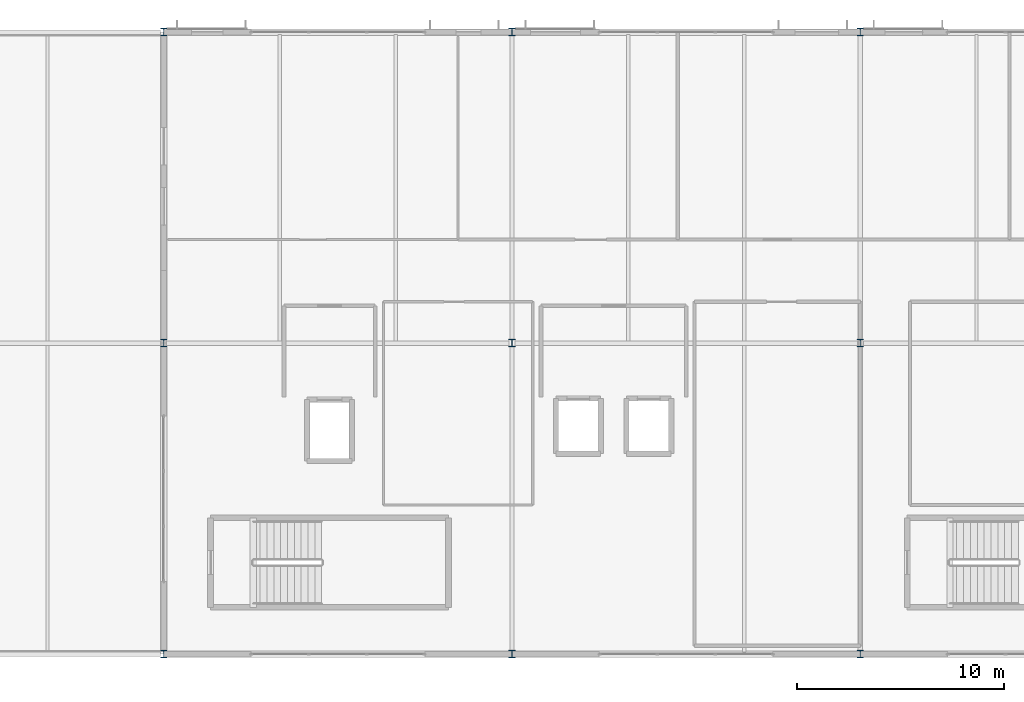
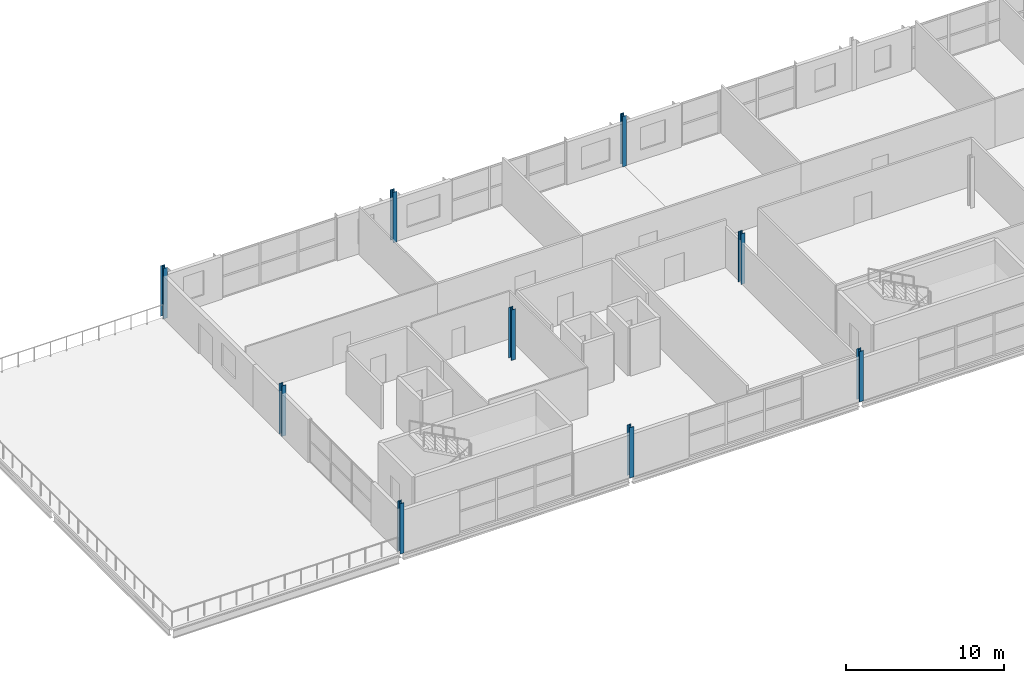
# One storey, part 1 of 18: 9 columns.
"""IFC4 building model written with IfcOpenShell, lengths in metres."""

from ifc_helpers import new_model, si_unit, direction, frame, origin, origin_2d, place, context, subcontext, project, spatial, i_section, extrude, material, material_profile, profile_set, type_object, element, save


model = new_model("IFC4")

# Units and contexts
model_context = context("Model", 3, precision=1e-05, world=origin(), true_north=direction((0.0, 1.0)))
body_context = subcontext(model_context, "Body", "Model", "MODEL_VIEW")
ifc_project = project(units=[si_unit("LENGTHUNIT", "METRE"), si_unit("AREAUNIT", "SQUARE_METRE"), si_unit("VOLUMEUNIT", "CUBIC_METRE"), si_unit("PLANEANGLEUNIT", "RADIAN"), si_unit("MASSUNIT", "GRAM", prefix="KILO")], contexts=[model_context])

# Site, building, storey
site_placement = place(None, origin())
site = spatial("IfcSite", under=ifc_project, at=site_placement, CompositionType="ELEMENT")
building_placement = place(site_placement, origin())
building = spatial("IfcBuilding", under=site, at=building_placement, Name="Kimbaza Rail Terminus", CompositionType="ELEMENT")
storey_placement = place(building_placement, frame((0.0, 0.0, 24.89990234375)))
storey = spatial("IfcBuildingStorey", under=building, at=storey_placement, Name="L05", CompositionType="ELEMENT", Elevation=24.89990234375)

# Columns
ifc_material = material(Name="Steel S355", Category="steel")
ifc_material_profile = material_profile(ifc_material, i_section(OverallWidth=0.300048828125, OverallDepth=0.360107421875, WebThickness=0.012451171875, FlangeThickness=0.0224609375, FilletRadius=0.027099609375, at=origin_2d()), Name="HEB 360")
ifc_profile_set = profile_set([ifc_material_profile], Name="Steel S355")
column_type = type_object("IfcColumnType", Name="STR-COL-HEB360", PredefinedType="COLUMN", material=ifc_profile_set)
for number, where, z_axis, x_axis, name in (
    (1, (72.0, 103.0, 0.0), (0.0, 0.0, 1.0), (1.0, 0.0, 0.0), "Operations Column L05 (1,0)"),
    (2, (72.0, 118.0, 0.0), (0.0, 0.0, 1.0), (1.0, 0.0, 0.0), "Operations Column L05 (1,1)"),
    (3, (72.0, 133.0, 0.0), (0.0, 0.0, 1.0), (1.0, 0.0, 0.0), "Operations Column L05 (1,2)"),
    (4, (88.800048828125, 103.0, 0.0), (0.0, 0.0, 1.0), (1.0, 0.0, 0.0), "Operations Column L05 (2,0)"),
    (5, (88.800048828125, 118.0, 0.0), (0.0, 0.0, 1.0), (1.0, 0.0, 0.0), "Operations Column L05 (2,1)"),
    (6, (88.800048828125, 133.0, 0.0), (0.0, 0.0, 1.0), (1.0, 0.0, 0.0), "Operations Column L05 (2,2)"),
    (7, (105.60009765625, 103.0, 0.0), (0.0, 0.0, 1.0), (1.0, 0.0, 0.0), "Operations Column L05 (3,0)"),
    (8, (105.60009765625, 118.0, 0.0), (0.0, 0.0, 1.0), (1.0, 0.0, 0.0), "Operations Column L05 (3,1)"),
    (9, (105.60009765625, 133.0, 0.0), (0.0, 0.0, 1.0), (1.0, 0.0, 0.0), "Operations Column L05 (3,2)"),
):
    element("IfcColumn", number, at=place(storey_placement, frame(where, z_axis=z_axis, x_axis=x_axis)), inside=storey, type_object=column_type, Name=name, PredefinedType="COLUMN", context=body_context, shape_type="SweptSolid", body=[
        extrude(i_section(OverallWidth=0.300048828125, OverallDepth=0.360107421875, WebThickness=0.012451171875, FlangeThickness=0.0224609375, FilletRadius=0.027099609375, at=origin_2d()), origin(), (0.0, 0.0, 1.0), 3.900146484375),
    ])

save(model, "model.ifc")
